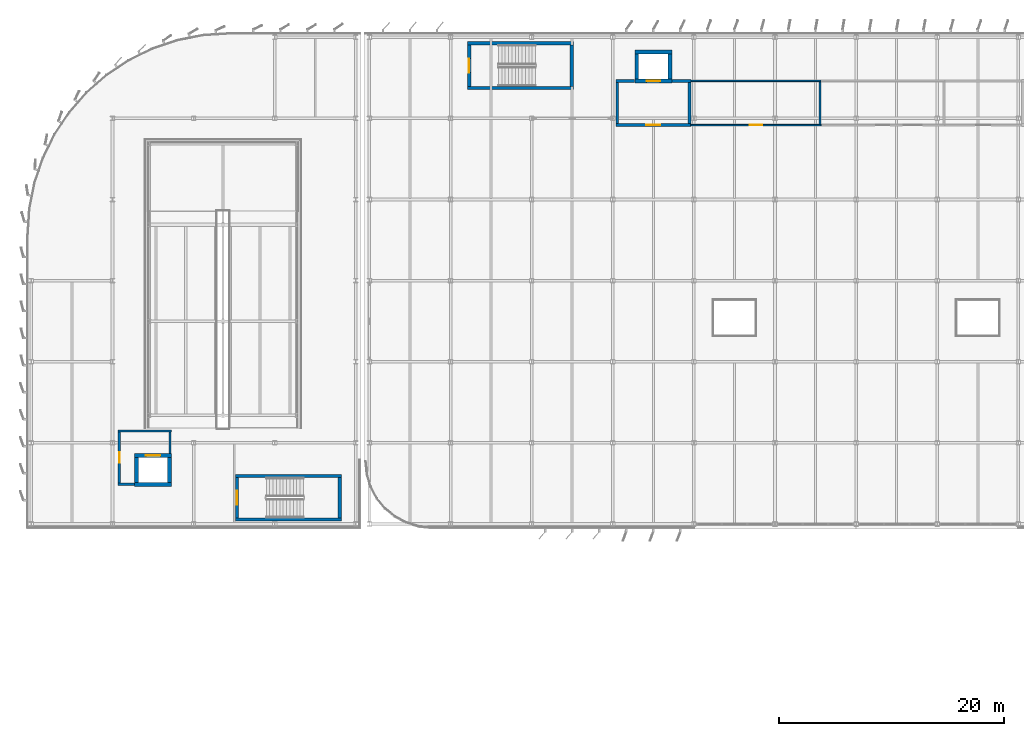
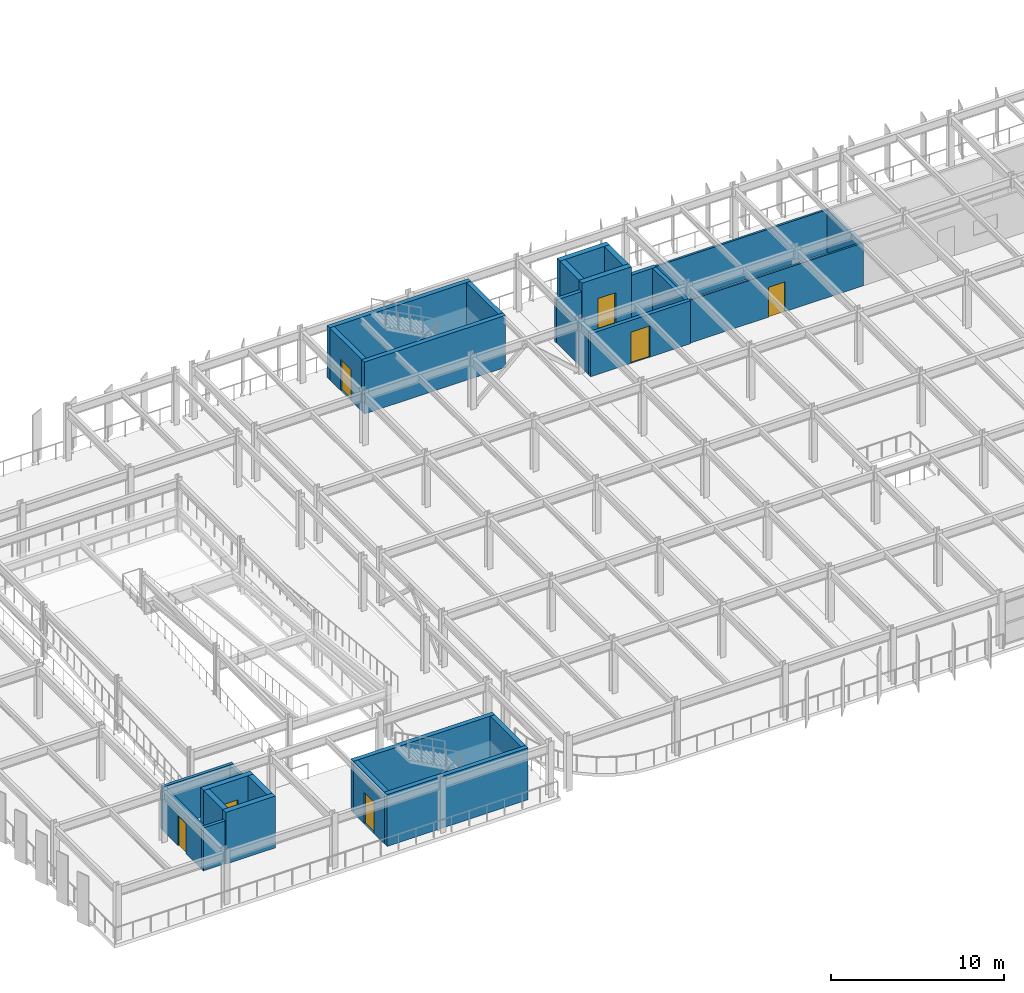
# One storey, part 34 of 52: 28 walls, 7 doors, 7 openings.
"""IFC4 building model written with IfcOpenShell, lengths in metres."""

from ifc_helpers import new_model, si_unit, direction, frame, frame_2d, origin, place, context, subcontext, project, spatial, rectangle, extrude, material, layer, layer_set, type_object, element, fill, save


model = new_model("IFC4")

# Units and contexts
model_context = context("Model", 3, precision=1e-05, world=origin(), true_north=direction((0.0, 1.0)))
body_context = subcontext(model_context, "Body", "Model", "MODEL_VIEW")
ifc_project = project(units=[si_unit("LENGTHUNIT", "METRE"), si_unit("AREAUNIT", "SQUARE_METRE"), si_unit("VOLUMEUNIT", "CUBIC_METRE"), si_unit("PLANEANGLEUNIT", "RADIAN"), si_unit("MASSUNIT", "GRAM", prefix="KILO")], contexts=[model_context])

# Site, building, storey
site_placement = place(None, origin())
site = spatial("IfcSite", under=ifc_project, at=site_placement, CompositionType="ELEMENT")
building_placement = place(site_placement, origin())
building = spatial("IfcBuilding", under=site, at=building_placement, Name="Vaelcorin Mobility Hub", CompositionType="ELEMENT")
storey_placement = place(building_placement, frame((0.0, 0.0, 13.199951171875)))
storey = spatial("IfcBuildingStorey", under=building, at=storey_placement, Name="L03", CompositionType="ELEMENT", Elevation=13.199951171875)

# Walls
ifc_material_1 = material(Name="Reinforced concrete f'c 45 MPa", Category="concrete")
ifc_layer_1 = layer(ifc_material_1, 0.300048828125)
ifc_layer_set_1 = layer_set([ifc_layer_1], Name="Reinforced concrete f'c 45 MPa")
wall_type_1 = type_object("IfcWallType", Name="WL-CORE-300", PredefinedType="SOLIDWALL", material=ifc_layer_set_1)
for number, where, z_axis, x_axis, name in (
    (1, (33.5, 77.199951171875, 0.0), (0.0, 0.0, 1.0), (-1.0, 0.0, 0.0), "ST1 Fire Core Wall L03 South"),
    (2, (24.10009765625, 81.06005859375, 0.0), (0.0, 0.0, 1.0), (1.0, 0.0, 0.0), "ST1 Fire Core Wall L03 North"),
):
    element("IfcWall", number, at=place(storey_placement, frame(where, z_axis=z_axis, x_axis=x_axis)), inside=storey, type_object=wall_type_1, Name=name, PredefinedType="SOLIDWALL", context=body_context, shape_type="SweptSolid", body=[
        extrude(rectangle(XDim=9.39990234375, YDim=0.300048828125, at=frame_2d((4.699951171875, 0.0))), origin(), (0.0, 0.0, 1.0), 3.650146484375),
    ])

# Wall, opening, door
wall_1_placement = place(storey_placement, frame((24.25, 77.35009765625, 0.0), z_axis=(0.0, 0.0, 1.0), x_axis=(0.0, 1.0, 0.0)))
wall_1 = element("IfcWall", 3, at=wall_1_placement, inside=storey, type_object=wall_type_1, Name="ST1 Fire Core Wall L03 West", PredefinedType="SOLIDWALL", context=body_context, shape_type="SweptSolid", body=[
    extrude(rectangle(XDim=3.559814453125, YDim=0.300048828125, at=frame_2d((1.77978515625, 0.0))), origin(), (0.0, 0.0, 1.0), 3.650146484375),
])
opening_1_placement = place(wall_1_placement, frame((1.179931640625, 0.0, 0.0)))
opening_1 = element("IfcOpeningElement", 4, at=opening_1_placement, cuts=wall_1, Name="Opening SD01", PredefinedType="OPENING", context=body_context, shape_type="SweptSolid", body=[
    extrude(rectangle(XDim=1.199951171875, YDim=2.199951171875, at=frame_2d((0.60009765625, 1.10009765625))), frame((0.0, 0.159912109375, 0.0), z_axis=(0.0, -1.0, 0.0), x_axis=(1.0, 0.0, 0.0)), (0.0, 0.0, 1.0), 0.320068359375),
])
ifc_material_2 = material(Name="Hollow-metal insulated steel fire door", Category="steel")
door_type_1 = type_object("IfcDoorType", Name="DR-STAIR-90", OperationType="NOTDEFINED", PredefinedType="DOOR", material=ifc_material_2)
door_1_placement = place(opening_1_placement, origin())
door_1 = element("IfcDoor", 5, at=door_1_placement, inside=storey, type_object=door_type_1, Name="ST1 Protected Stair Door L03", OperationType="SINGLE_SWING_RIGHT", OverallHeight=2.199951171875, OverallWidth=1.199951171875, PredefinedType="DOOR", context=body_context, shape_type="SweptSolid", body=[
    extrude(rectangle(XDim=1.199951171875, YDim=2.199951171875, at=frame_2d((0.60009765625, 1.10009765625))), frame((0.0, 0.02490234375, 0.0), z_axis=(0.0, -1.0, 0.0), x_axis=(1.0, 0.0, 0.0)), (0.0, 0.0, 1.0), 0.050048828125),
])
fill(opening_1, door_1)

# Walls
wall_2_placement = place(storey_placement, frame((33.35009765625, 80.909912109375, 0.0), z_axis=(0.0, 0.0, 1.0), x_axis=(0.0, -1.0, 0.0)))
element("IfcWall", 6, at=wall_2_placement, inside=storey, type_object=wall_type_1, Name="ST1 Fire Core Wall L03 East", PredefinedType="SOLIDWALL", context=body_context, shape_type="SweptSolid", body=[
    extrude(rectangle(XDim=3.559814453125, YDim=0.300048828125, at=frame_2d((1.77978515625, 0.0))), origin(), (0.0, 0.0, 1.0), 3.650146484375),
])
for number, where, z_axis, x_axis, name in (
    (7, (54.10009765625, 115.5, 0.0), (0.0, 0.0, 1.0), (-1.0, 0.0, 0.0), "ST3 Fire Core Wall L03 South"),
    (8, (44.699951171875, 119.47998046875, 0.0), (0.0, 0.0, 1.0), (1.0, 0.0, 0.0), "ST3 Fire Core Wall L03 North"),
):
    element("IfcWall", number, at=place(storey_placement, frame(where, z_axis=z_axis, x_axis=x_axis)), inside=storey, type_object=wall_type_1, Name=name, PredefinedType="SOLIDWALL", context=body_context, shape_type="SweptSolid", body=[
        extrude(rectangle(XDim=9.400146484375, YDim=0.300048828125, at=frame_2d((4.7001953125, 0.0))), origin(), (0.0, 0.0, 1.0), 3.66015625),
    ])

# Wall, opening, door
wall_3_placement = place(storey_placement, frame((44.85009765625, 115.64990234375, 0.0), z_axis=(0.0, 0.0, 1.0), x_axis=(0.0, 1.0, 0.0)))
wall_3 = element("IfcWall", 9, at=wall_3_placement, inside=storey, type_object=wall_type_1, Name="ST3 Fire Core Wall L03 West", PredefinedType="SOLIDWALL", context=body_context, shape_type="SweptSolid", body=[
    extrude(rectangle(XDim=3.68017578125, YDim=0.300048828125, at=frame_2d((1.840087890625, 0.0))), origin(), (0.0, 0.0, 1.0), 3.66015625),
])
opening_2_placement = place(wall_3_placement, frame((1.215087890625, 0.0, 0.0)))
opening_2 = element("IfcOpeningElement", 10, at=opening_2_placement, cuts=wall_3, Name="Opening SD02", PredefinedType="OPENING", context=body_context, shape_type="SweptSolid", body=[
    extrude(rectangle(XDim=1.25, YDim=2.199951171875, at=frame_2d((0.625, 1.10009765625))), frame((0.0, 0.159912109375, 0.0), z_axis=(0.0, -1.0, 0.0), x_axis=(1.0, 0.0, 0.0)), (0.0, 0.0, 1.0), 0.320068359375),
])
door_type_2 = type_object("IfcDoorType", Name="DR-STAIR-FF", OperationType="NOTDEFINED", PredefinedType="DOOR", material=ifc_material_2)
door_2_placement = place(opening_2_placement, origin())
door_2 = element("IfcDoor", 11, at=door_2_placement, inside=storey, type_object=door_type_2, Name="ST3 Protected Stair Door L03", OperationType="SINGLE_SWING_RIGHT", OverallHeight=2.199951171875, OverallWidth=1.25, PredefinedType="DOOR", context=body_context, shape_type="SweptSolid", body=[
    extrude(rectangle(XDim=1.25, YDim=2.199951171875, at=frame_2d((0.625, 1.10009765625))), frame((0.0, 0.02490234375, 0.0), z_axis=(0.0, -1.0, 0.0), x_axis=(1.0, 0.0, 0.0)), (0.0, 0.0, 1.0), 0.050048828125),
])
fill(opening_2, door_2)

# Wall
wall_4_placement = place(storey_placement, frame((53.949951171875, 119.330078125, 0.0), z_axis=(0.0, 0.0, 1.0), x_axis=(0.0, -1.0, 0.0)))
element("IfcWall", 12, at=wall_4_placement, inside=storey, type_object=wall_type_1, Name="ST3 Fire Core Wall L03 East", PredefinedType="SOLIDWALL", context=body_context, shape_type="SweptSolid", body=[
    extrude(rectangle(XDim=3.68017578125, YDim=0.300048828125, at=frame_2d((1.840087890625, 0.0))), origin(), (0.0, 0.0, 1.0), 3.66015625),
])

# Wall, opening, door
ifc_material_3 = material(Name="Fire-rated acoustic steel-stud gypsum board", Category="steel")
ifc_layer_2 = layer(ifc_material_3, 0.125)
ifc_layer_set_2 = layer_set([ifc_layer_2], Name="Fire-rated acoustic steel-stud gypsum board")
wall_type_2 = type_object("IfcWallType", Name="WL-PART-125", PredefinedType="PARTITIONING", material=ifc_layer_set_2)
wall_5_placement = place(storey_placement, frame((76.080078125, 112.199951171875, 0.0), z_axis=(0.0, 0.0, 1.0), x_axis=(-1.0, 0.0, 0.0)))
wall_5 = element("IfcWall", 13, at=wall_5_placement, inside=storey, type_object=wall_type_2, Name="EV Charger Substation L03 Partition South", PredefinedType="PARTITIONING", context=body_context, shape_type="SweptSolid", body=[
    extrude(rectangle(XDim=11.552978515625, YDim=0.125, at=frame_2d((5.7763671875, 0.0))), origin(), (0.0, 0.0, 1.0), 3.028076171875),
])
opening_3_placement = place(wall_5_placement, frame((5.22607421875, 0.0, 0.0)))
opening_3 = element("IfcOpeningElement", 14, at=opening_3_placement, cuts=wall_5, Name="Opening ID06", PredefinedType="OPENING", context=body_context, shape_type="SweptSolid", body=[
    extrude(rectangle(XDim=1.10009765625, YDim=2.10009765625, at=frame_2d((0.550048828125, 1.050048828125))), frame((0.0, 0.072509765625, 0.0), z_axis=(0.0, -1.0, 0.0), x_axis=(1.0, 0.0, 0.0)), (0.0, 0.0, 1.0), 0.14501953125),
])
ifc_material_4 = material(Name="Solid-core hardwood fire door assembly", Category="wood")
door_type_3 = type_object("IfcDoorType", Name="DR-INT-06", OperationType="NOTDEFINED", PredefinedType="DOOR", material=ifc_material_4)
door_3_placement = place(opening_3_placement, origin())
door_3 = element("IfcDoor", 15, at=door_3_placement, inside=storey, type_object=door_type_3, Name="EV Charger Substation L03 Door", OperationType="SINGLE_SWING_RIGHT", OverallHeight=2.10009765625, OverallWidth=1.10009765625, PredefinedType="DOOR", context=body_context, shape_type="SweptSolid", body=[
    extrude(rectangle(XDim=1.10009765625, YDim=2.10009765625, at=frame_2d((0.550048828125, 1.050048828125))), frame((0.0, 0.02490234375, 0.0), z_axis=(0.0, -1.0, 0.0), x_axis=(1.0, 0.0, 0.0)), (0.0, 0.0, 1.0), 0.050048828125),
])
fill(opening_3, door_3)

# Walls
ifc_layer_3 = layer(ifc_material_3, 0.139892578125)
ifc_layer_set_3 = layer_set([ifc_layer_3], Name="Fire-rated acoustic steel-stud gypsum board")
wall_type_3 = type_object("IfcWallType", Name="WL-PART-140", PredefinedType="PARTITIONING", material=ifc_layer_set_3)
wall_6_placement = place(storey_placement, frame((64.527099609375, 116.125, 0.0), z_axis=(0.0, 0.0, 1.0), x_axis=(1.0, 0.0, 0.0)))
element("IfcWall", 16, at=wall_6_placement, inside=storey, type_object=wall_type_3, Name="EV Charger Substation L03 Partition North", PredefinedType="PARTITIONING", context=body_context, shape_type="SweptSolid", body=[
    extrude(rectangle(XDim=11.552978515625, YDim=0.139892578125, at=frame_2d((5.7763671875, 0.0))), origin(), (0.0, 0.0, 1.0), 3.028076171875),
])
ifc_layer_4 = layer(ifc_material_3, 0.155029296875)
ifc_layer_set_4 = layer_set([ifc_layer_4], Name="Fire-rated acoustic steel-stud gypsum board")
wall_type_4 = type_object("IfcWallType", Name="WL-PART-155", PredefinedType="PARTITIONING", material=ifc_layer_set_4)
wall_7_placement = place(storey_placement, frame((76.0, 116.050048828125, 0.0), z_axis=(0.0, 0.0, 1.0), x_axis=(0.0, -1.0, 0.0)))
element("IfcWall", 17, at=wall_7_placement, inside=storey, type_object=wall_type_4, Name="EV Charger Substation L03 Partition East", PredefinedType="PARTITIONING", context=body_context, shape_type="SweptSolid", body=[
    extrude(rectangle(XDim=3.782958984375, YDim=0.155029296875, at=frame_2d((1.8916015625, 0.0))), origin(), (0.0, 0.0, 1.0), 3.028076171875),
])
ifc_material_5 = material(Name="Reinforced acoustic concrete masonry C30/37", Category="masonry")
ifc_layer_5 = layer(ifc_material_5, 0.205078125)
ifc_layer_set_5 = layer_set([ifc_layer_5], Name="Reinforced acoustic concrete masonry C30/37")
wall_type_5 = type_object("IfcWallType", Name="WL-PART-205", PredefinedType="PARTITIONING", material=ifc_layer_set_5)
wall_8_placement = place(storey_placement, frame((13.697998046875, 85.050048828125, 0.0), z_axis=(0.0, 0.0, 1.0), x_axis=(1.0, 0.0, 0.0)))
element("IfcWall", 18, at=wall_8_placement, inside=storey, type_object=wall_type_5, Name="West Drum Lift Lobby L03 Partition North", PredefinedType="PARTITIONING", context=body_context, shape_type="SweptSolid", body=[
    extrude(rectangle(XDim=4.751953125, YDim=0.205078125, at=frame_2d((2.3759765625, 0.0))), origin(), (0.0, 0.0, 1.0), 3.01806640625),
])
wall_9_placement = place(storey_placement, frame((15.14794921875, 80.324951171875, 0.0), z_axis=(0.0, 0.0, 1.0), x_axis=(-1.0, 0.0, 0.0)))
element("IfcWall", 19, at=wall_9_placement, inside=storey, type_object=wall_type_5, Name="West Drum Lift Lobby L03 Return Wall South", PredefinedType="PARTITIONING", context=body_context, shape_type="SweptSolid", body=[
    extrude(rectangle(XDim=1.449951171875, YDim=0.205078125, at=frame_2d((0.72509765625, 0.0))), origin(), (0.0, 0.0, 1.0), 3.01806640625),
])

# Wall, opening, door
wall_10_placement = place(storey_placement, frame((13.800048828125, 80.429931640625, 0.0), z_axis=(0.0, 0.0, 1.0), x_axis=(0.0, 1.0, 0.0)))
wall_10 = element("IfcWall", 20, at=wall_10_placement, inside=storey, type_object=wall_type_5, Name="West Drum Lift Lobby L03 Partition West", PredefinedType="PARTITIONING", context=body_context, shape_type="SweptSolid", body=[
    extrude(rectangle(XDim=4.51611328125, YDim=0.205078125, at=frame_2d((2.258056640625, 0.0))), origin(), (0.0, 0.0, 1.0), 3.01806640625),
])
opening_4_placement = place(wall_10_placement, frame((1.7880859375, 0.0, 0.0)))
opening_4 = element("IfcOpeningElement", 21, at=opening_4_placement, cuts=wall_10, Name="Opening ID02", PredefinedType="OPENING", context=body_context, shape_type="SweptSolid", body=[
    extrude(rectangle(XDim=0.93994140625, YDim=2.10009765625, at=frame_2d((0.469970703125, 1.050048828125))), frame((0.0, 0.112548828125, 0.0), z_axis=(0.0, -1.0, 0.0), x_axis=(1.0, 0.0, 0.0)), (0.0, 0.0, 1.0), 0.22509765625),
])
door_type_4 = type_object("IfcDoorType", Name="DR-INT-02", OperationType="NOTDEFINED", PredefinedType="DOOR", material=ifc_material_4)
door_4_placement = place(opening_4_placement, origin())
door_4 = element("IfcDoor", 22, at=door_4_placement, inside=storey, type_object=door_type_4, Name="West Drum Lift Lobby L03 Door", OperationType="SINGLE_SWING_LEFT", OverallHeight=2.10009765625, OverallWidth=0.93994140625, PredefinedType="DOOR", context=body_context, shape_type="SweptSolid", body=[
    extrude(rectangle(XDim=0.93994140625, YDim=2.10009765625, at=frame_2d((0.469970703125, 1.050048828125))), frame((0.0, 0.02490234375, 0.0), z_axis=(0.0, -1.0, 0.0), x_axis=(1.0, 0.0, 0.0)), (0.0, 0.0, 1.0), 0.050048828125),
])
fill(opening_4, door_4)

# Wall
wall_11_placement = place(storey_placement, frame((18.300048828125, 84.946044921875, 0.0), z_axis=(0.0, 0.0, 1.0), x_axis=(0.0, -1.0, 0.0)))
element("IfcWall", 23, at=wall_11_placement, inside=storey, type_object=wall_type_5, Name="West Drum Lift Lobby L03 Return Wall East", PredefinedType="PARTITIONING", context=body_context, shape_type="SweptSolid", body=[
    extrude(rectangle(XDim=1.89404296875, YDim=0.205078125, at=frame_2d((0.947021484375, 0.0))), origin(), (0.0, 0.0, 1.0), 3.01806640625),
])

# Wall, opening, door
ifc_layer_6 = layer(ifc_material_5, 0.25)
ifc_layer_set_6 = layer_set([ifc_layer_6], Name="Reinforced acoustic concrete masonry C30/37")
wall_type_6 = type_object("IfcWallType", Name="WL-PART-250", PredefinedType="PARTITIONING", material=ifc_layer_set_6)
wall_12_placement = place(storey_placement, frame((64.52490234375, 112.199951171875, 0.0), z_axis=(0.0, 0.0, 1.0), x_axis=(-1.0, 0.0, 0.0)))
wall_12 = element("IfcWall", 24, at=wall_12_placement, inside=storey, type_object=wall_type_6, Name="Firefighting Lobby West L03 Partition South", PredefinedType="PARTITIONING", context=body_context, shape_type="SweptSolid", body=[
    extrude(rectangle(XDim=6.64990234375, YDim=0.25, at=frame_2d((3.324951171875, 0.0))), origin(), (0.0, 0.0, 1.0), 3.028076171875),
])
opening_5_placement = place(wall_12_placement, frame((2.699951171875, 0.0, 0.0)))
opening_5 = element("IfcOpeningElement", 25, at=opening_5_placement, cuts=wall_12, Name="Opening SD02", PredefinedType="OPENING", context=body_context, shape_type="SweptSolid", body=[
    extrude(rectangle(XDim=1.25, YDim=2.199951171875, at=frame_2d((0.625, 1.10009765625))), frame((0.0, 0.135009765625, 0.0), z_axis=(0.0, -1.0, 0.0), x_axis=(1.0, 0.0, 0.0)), (0.0, 0.0, 1.0), 0.27001953125),
])
door_5_placement = place(opening_5_placement, origin())
door_5 = element("IfcDoor", 26, at=door_5_placement, inside=storey, type_object=door_type_2, Name="Firefighting Lobby West L03 Door", OperationType="SINGLE_SWING_LEFT", OverallHeight=2.199951171875, OverallWidth=1.25, PredefinedType="DOOR", context=body_context, shape_type="SweptSolid", body=[
    extrude(rectangle(XDim=1.25, YDim=2.199951171875, at=frame_2d((0.625, 1.10009765625))), frame((0.0, 0.02490234375, 0.0), z_axis=(0.0, -1.0, 0.0), x_axis=(1.0, 0.0, 0.0)), (0.0, 0.0, 1.0), 0.050048828125),
])
fill(opening_5, door_5)

# Walls
wall_13_placement = place(storey_placement, frame((57.875, 116.125, 0.0), z_axis=(0.0, 0.0, 1.0), x_axis=(1.0, 0.0, 0.0)))
element("IfcWall", 27, at=wall_13_placement, inside=storey, type_object=wall_type_6, Name="Firefighting Lobby West L03 Return Wall NW", PredefinedType="PARTITIONING", context=body_context, shape_type="SweptSolid", body=[
    extrude(rectangle(XDim=1.673095703125, YDim=0.25, at=frame_2d((0.83642578125, 0.0))), origin(), (0.0, 0.0, 1.0), 3.028076171875),
])
wall_14_placement = place(storey_placement, frame((62.85205078125, 116.125, 0.0), z_axis=(0.0, 0.0, 1.0), x_axis=(1.0, 0.0, 0.0)))
element("IfcWall", 28, at=wall_14_placement, inside=storey, type_object=wall_type_6, Name="Firefighting Lobby West L03 Return Wall NE", PredefinedType="PARTITIONING", context=body_context, shape_type="SweptSolid", body=[
    extrude(rectangle(XDim=1.6728515625, YDim=0.25, at=frame_2d((0.83642578125, 0.0))), origin(), (0.0, 0.0, 1.0), 3.028076171875),
])
for number, where, z_axis, x_axis, name in (
    (29, (58.0, 112.326904296875, 0.0), (0.0, 0.0, 1.0), (0.0, 1.0, 0.0), "Firefighting Lobby West L03 Partition West"),
    (30, (64.39990234375, 115.998046875, 0.0), (0.0, 0.0, 1.0), (0.0, -1.0, 0.0), "Firefighting Lobby West L03 Partition East"),
):
    element("IfcWall", number, at=place(storey_placement, frame(where, z_axis=z_axis, x_axis=x_axis)), inside=storey, type_object=wall_type_6, Name=name, PredefinedType="PARTITIONING", context=body_context, shape_type="SweptSolid", body=[
        extrude(rectangle(XDim=3.671142578125, YDim=0.25, at=frame_2d((1.83544921875, 0.0))), origin(), (0.0, 0.0, 1.0), 3.028076171875),
    ])

# Wall, opening, door
ifc_layer_7 = layer(ifc_material_1, 0.35009765625)
ifc_layer_set_7 = layer_set([ifc_layer_7], Name="Reinforced concrete f'c 45 MPa")
wall_type_7 = type_object("IfcWallType", Name="WL-SHEAR-350", PredefinedType="SHEAR", material=ifc_layer_set_7)
wall_15_placement = place(storey_placement, frame((62.85009765625, 116.125, 0.0), z_axis=(0.0, 0.0, 1.0), x_axis=(-1.0, 0.0, 0.0)))
wall_15 = element("IfcWall", 31, at=wall_15_placement, inside=storey, type_object=wall_type_7, Name="LF1 Lift Shaft Shear Wall L03 South", PredefinedType="SHEAR", context=body_context, shape_type="SweptSolid", body=[
    extrude(rectangle(XDim=3.300048828125, YDim=0.35009765625, at=frame_2d((1.64990234375, 0.0))), origin(), (0.0, 0.0, 1.0), 3.66015625),
])
opening_6_placement = place(wall_15_placement, frame((1.050048828125, 0.0, 0.0)))
opening_6 = element("IfcOpeningElement", 32, at=opening_6_placement, cuts=wall_15, Name="Opening LD1", PredefinedType="OPENING", context=body_context, shape_type="SweptSolid", body=[
    extrude(rectangle(XDim=1.199951171875, YDim=2.199951171875, at=frame_2d((0.60009765625, 1.10009765625))), frame((0.0, 0.18505859375, 0.0), z_axis=(0.0, -1.0, 0.0), x_axis=(1.0, 0.0, 0.0)), (0.0, 0.0, 1.0), 0.3701171875),
])
ifc_material_6 = material(Name="Brushed stainless steel 316L", Category="steel")
door_type_5 = type_object("IfcDoorType", Name="DR-LIFT-LD1", OperationType="NOTDEFINED", PredefinedType="DOOR", material=ifc_material_6)
door_6_placement = place(opening_6_placement, origin())
door_6 = element("IfcDoor", 33, at=door_6_placement, inside=storey, type_object=door_type_5, Name="LF1 Lift Landing Sliding Door L03", OperationType="DOUBLE_DOOR_SLIDING", OverallHeight=2.199951171875, OverallWidth=1.199951171875, PredefinedType="DOOR", context=body_context, shape_type="SweptSolid", body=[
    extrude(rectangle(XDim=1.199951171875, YDim=2.199951171875, at=frame_2d((0.60009765625, 1.10009765625))), frame((0.0, 0.02490234375, 0.0), z_axis=(0.0, -1.0, 0.0), x_axis=(1.0, 0.0, 0.0)), (0.0, 0.0, 1.0), 0.050048828125),
])
fill(opening_6, door_6)

# Walls
wall_16_placement = place(storey_placement, frame((59.550048828125, 118.675048828125, 0.0), z_axis=(0.0, 0.0, 1.0), x_axis=(1.0, 0.0, 0.0)))
element("IfcWall", 34, at=wall_16_placement, inside=storey, type_object=wall_type_7, Name="LF1 Lift Shaft Shear Wall L03 North", PredefinedType="SHEAR", context=body_context, shape_type="SweptSolid", body=[
    extrude(rectangle(XDim=3.300048828125, YDim=0.35009765625, at=frame_2d((1.64990234375, 0.0))), origin(), (0.0, 0.0, 1.0), 3.66015625),
])
for number, where, z_axis, x_axis, name in (
    (35, (59.72509765625, 116.300048828125, 0.0), (0.0, 0.0, 1.0), (0.0, 1.0, 0.0), "LF1 Lift Shaft Shear Wall L03 West"),
    (36, (62.675048828125, 118.5, 0.0), (0.0, 0.0, 1.0), (0.0, -1.0, 0.0), "LF1 Lift Shaft Shear Wall L03 East"),
):
    element("IfcWall", number, at=place(storey_placement, frame(where, z_axis=z_axis, x_axis=x_axis)), inside=storey, type_object=wall_type_7, Name=name, PredefinedType="SHEAR", context=body_context, shape_type="SweptSolid", body=[
        extrude(rectangle(XDim=2.199951171875, YDim=0.35009765625, at=frame_2d((1.10009765625, 0.0))), origin(), (0.0, 0.0, 1.0), 3.66015625),
    ])
wall_17_placement = place(storey_placement, frame((18.449951171875, 80.324951171875, 0.0), z_axis=(0.0, 0.0, 1.0), x_axis=(-1.0, 0.0, 0.0)))
element("IfcWall", 37, at=wall_17_placement, inside=storey, type_object=wall_type_7, Name="LF4 Lift Shaft Shear Wall L03 South", PredefinedType="SHEAR", context=body_context, shape_type="SweptSolid", body=[
    extrude(rectangle(XDim=3.300048828125, YDim=0.35009765625, at=frame_2d((1.64990234375, 0.0))), origin(), (0.0, 0.0, 1.0), 3.650146484375),
])

# Wall, opening, door
wall_18_placement = place(storey_placement, frame((15.14990234375, 82.875, 0.0), z_axis=(0.0, 0.0, 1.0), x_axis=(1.0, 0.0, 0.0)))
wall_18 = element("IfcWall", 38, at=wall_18_placement, inside=storey, type_object=wall_type_7, Name="LF4 Lift Shaft Shear Wall L03 North", PredefinedType="SHEAR", context=body_context, shape_type="SweptSolid", body=[
    extrude(rectangle(XDim=3.300048828125, YDim=0.35009765625, at=frame_2d((1.64990234375, 0.0))), origin(), (0.0, 0.0, 1.0), 3.650146484375),
])
opening_7_placement = place(wall_18_placement, frame((1.0, 0.0, 0.0)))
opening_7 = element("IfcOpeningElement", 39, at=opening_7_placement, cuts=wall_18, Name="Opening LD2", PredefinedType="OPENING", context=body_context, shape_type="SweptSolid", body=[
    extrude(rectangle(XDim=1.300048828125, YDim=2.199951171875, at=frame_2d((0.64990234375, 1.10009765625))), frame((0.0, 0.18505859375, 0.0), z_axis=(0.0, -1.0, 0.0), x_axis=(1.0, 0.0, 0.0)), (0.0, 0.0, 1.0), 0.3701171875),
])
door_type_6 = type_object("IfcDoorType", Name="DR-LIFT-LD2", OperationType="NOTDEFINED", PredefinedType="DOOR", material=ifc_material_6)
door_7_placement = place(opening_7_placement, origin())
door_7 = element("IfcDoor", 40, at=door_7_placement, inside=storey, type_object=door_type_6, Name="LF4 Lift Landing Sliding Door L03", OperationType="DOUBLE_DOOR_SLIDING", OverallHeight=2.199951171875, OverallWidth=1.300048828125, PredefinedType="DOOR", context=body_context, shape_type="SweptSolid", body=[
    extrude(rectangle(XDim=1.300048828125, YDim=2.199951171875, at=frame_2d((0.64990234375, 1.10009765625))), frame((0.0, 0.02490234375, 0.0), z_axis=(0.0, -1.0, 0.0), x_axis=(1.0, 0.0, 0.0)), (0.0, 0.0, 1.0), 0.050048828125),
])
fill(opening_7, door_7)

# Walls
for number, where, z_axis, x_axis, name in (
    (41, (15.324951171875, 80.5, 0.0), (0.0, 0.0, 1.0), (0.0, 1.0, 0.0), "LF4 Lift Shaft Shear Wall L03 West"),
    (42, (18.27490234375, 82.699951171875, 0.0), (0.0, 0.0, 1.0), (0.0, -1.0, 0.0), "LF4 Lift Shaft Shear Wall L03 East"),
):
    element("IfcWall", number, at=place(storey_placement, frame(where, z_axis=z_axis, x_axis=x_axis)), inside=storey, type_object=wall_type_7, Name=name, PredefinedType="SHEAR", context=body_context, shape_type="SweptSolid", body=[
        extrude(rectangle(XDim=2.199951171875, YDim=0.35009765625, at=frame_2d((1.10009765625, 0.0))), origin(), (0.0, 0.0, 1.0), 3.650146484375),
    ])

save(model, "model.ifc")
